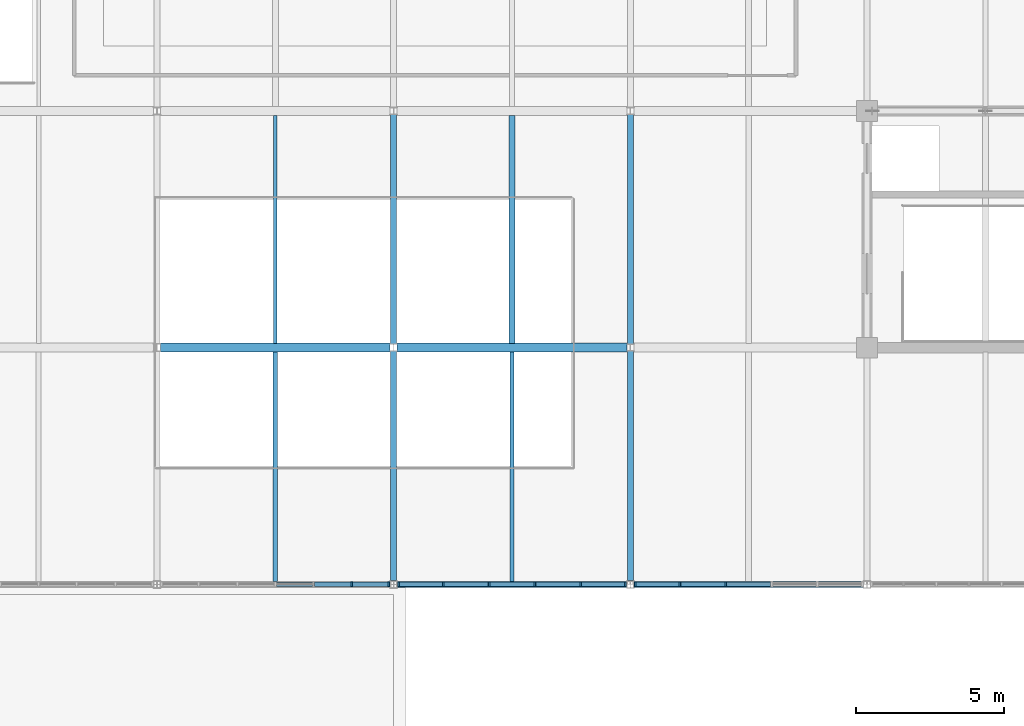
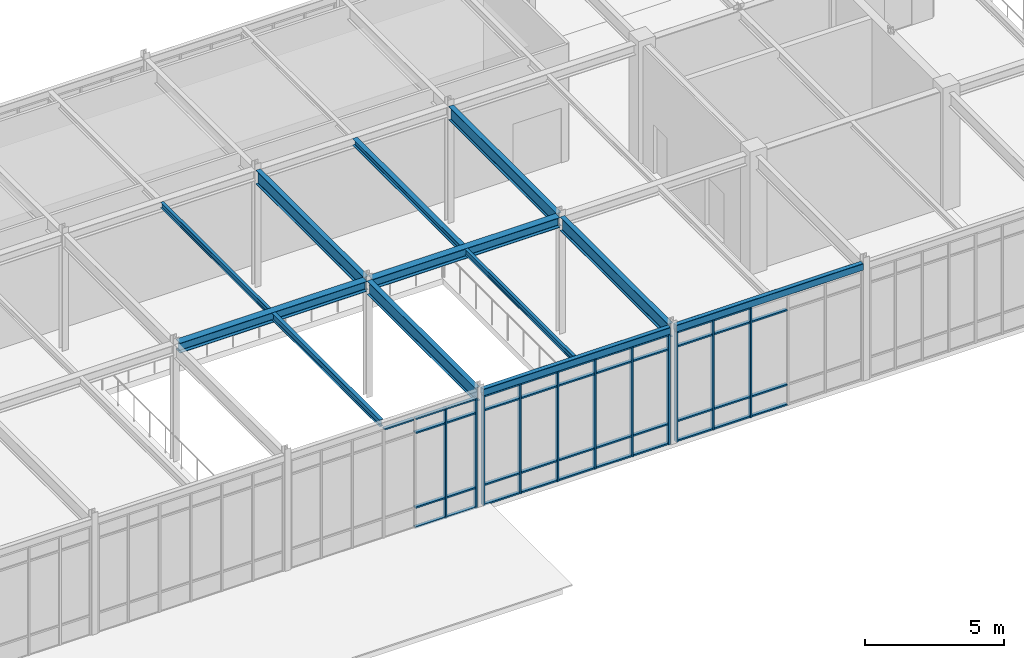
# One storey, part 51 of 184: 51 members, 12 beams, 3 elements without a shape of their own.
"""IFC4 building model written with IfcOpenShell, lengths in metres."""

from ifc_helpers import new_model, si_unit, direction, frame, origin, origin_2d, place, context, subcontext, project, spatial, rectangle, hollow_rectangle, i_section, extrude, material, material_profile, profile_set, type_object, element, aggregate, save


model = new_model("IFC4")

# Units and contexts
model_context = context("Model", 3, precision=1e-05, world=origin(), true_north=direction((0.0, 1.0)))
body_context = subcontext(model_context, "Body", "Model", "MODEL_VIEW")
ifc_project = project(units=[si_unit("LENGTHUNIT", "METRE"), si_unit("AREAUNIT", "SQUARE_METRE"), si_unit("VOLUMEUNIT", "CUBIC_METRE"), si_unit("PLANEANGLEUNIT", "RADIAN"), si_unit("MASSUNIT", "GRAM", prefix="KILO")], contexts=[model_context])

# Site, building, storey
site_placement = place(None, origin())
site = spatial("IfcSite", under=ifc_project, at=site_placement, CompositionType="ELEMENT")
building_placement = place(site_placement, origin())
building = spatial("IfcBuilding", under=site, at=building_placement, Name="Zhaolan Boulevard Law Courts", CompositionType="ELEMENT")
storey_placement = place(building_placement, frame((0.0, 0.0, 5.39990234375)))
storey = spatial("IfcBuildingStorey", under=building, at=storey_placement, Name="L01", CompositionType="ELEMENT", Elevation=5.39990234375)

# Curtain wall, members
ifc_material_1 = material(Name="Thermally broken aluminium and low-E glazing", Category="aluminium")
curtain_wall_type_1 = type_object("IfcCurtainWallType", Name="CURTAIN WALL M15", PredefinedType="USERDEFINED", material=ifc_material_1)
curtain_wall_1_placement = place(storey_placement, origin())
curtain_wall_1 = element("IfcCurtainWall", 1, at=curtain_wall_1_placement, inside=storey, type_object=curtain_wall_type_1, Name="Curtain Wall CW-L01-039", ObjectType="CURTAIN WALL", PredefinedType="USERDEFINED")
ifc_material_2 = material(Name="Fluorocarbon-coated aluminium 6063-T6", Category="aluminium")
ifc_material_profile_1 = material_profile(ifc_material_2, rectangle(XDim=0.179931640625, YDim=0.06494140625, at=origin_2d()), Name="AL65x180")
ifc_profile_set_1 = profile_set([ifc_material_profile_1], Name="Fluorocarbon-coated aluminium 6063-T6")
member_type_1 = type_object("IfcMemberType", Name="CWMULLION 65X180", PredefinedType="MULLION", material=ifc_profile_set_1)
member_1_placement = place(storey_placement, frame((98.58203125, 6.0, 0.0), z_axis=(0.0, 0.0, 1.0), x_axis=(0.0, 1.0, 0.0)))
member_1 = element("IfcMember", 2, at=member_1_placement, type_object=member_type_1, Name="CW-L01-039 mullion 6", PredefinedType="MULLION", context=body_context, shape_type="SweptSolid", body=[
    extrude(rectangle(XDim=0.179931640625, YDim=0.06494140625, at=origin_2d()), origin(), (0.0, 0.0, 1.0), 4.822998046875),
])
member_2_placement = place(storey_placement, frame((99.840576171875, 6.0, 0.0), z_axis=(0.0, 0.0, 1.0), x_axis=(0.0, 1.0, 0.0)))
member_2 = element("IfcMember", 3, at=member_2_placement, type_object=member_type_1, Name="CW-L01-039 mullion 7", PredefinedType="MULLION", context=body_context, shape_type="SweptSolid", body=[
    extrude(rectangle(XDim=0.179931640625, YDim=0.06494140625, at=origin_2d()), origin(), (0.0, 0.0, 1.0), 4.822998046875),
])

ifc_material_3 = material(Name="Thermally broken aluminium and low-E glazing", Category="aluminium")
curtain_wall_type_2 = type_object("IfcCurtainWallType", Name="CURTAIN WALL M16", PredefinedType="USERDEFINED", material=ifc_material_3)
curtain_wall_2_placement = place(storey_placement, origin())
curtain_wall_2 = element("IfcCurtainWall", 4, at=curtain_wall_2_placement, inside=storey, type_object=curtain_wall_type_2, Name="Curtain Wall CW-L01-040", ObjectType="CURTAIN WALL", PredefinedType="USERDEFINED")
member_3_placement = place(storey_placement, frame((100.159423828125, 6.0, 0.0), z_axis=(0.0, 0.0, 1.0), x_axis=(0.0, 1.0, 0.0)))
member_3 = element("IfcMember", 5, at=member_3_placement, type_object=member_type_1, Name="CW-L01-040 mullion 1", PredefinedType="MULLION", context=body_context, shape_type="SweptSolid", body=[
    extrude(rectangle(XDim=0.179931640625, YDim=0.06494140625, at=origin_2d()), origin(), (0.0, 0.0, 1.0), 4.822998046875),
])
member_4_placement = place(storey_placement, frame((101.67626953125, 6.0, 0.0), z_axis=(0.0, 0.0, 1.0), x_axis=(0.0, 1.0, 0.0)))
member_4 = element("IfcMember", 6, at=member_4_placement, type_object=member_type_1, Name="CW-L01-040 mullion 2", PredefinedType="MULLION", context=body_context, shape_type="SweptSolid", body=[
    extrude(rectangle(XDim=0.179931640625, YDim=0.06494140625, at=origin_2d()), origin(), (0.0, 0.0, 1.0), 4.822998046875),
])
member_5_placement = place(storey_placement, frame((103.225341796875, 6.0, 0.0), z_axis=(0.0, 0.0, 1.0), x_axis=(0.0, 1.0, 0.0)))
member_5 = element("IfcMember", 7, at=member_5_placement, type_object=member_type_1, Name="CW-L01-040 mullion 3", PredefinedType="MULLION", context=body_context, shape_type="SweptSolid", body=[
    extrude(rectangle(XDim=0.179931640625, YDim=0.06494140625, at=origin_2d()), origin(), (0.0, 0.0, 1.0), 4.822998046875),
])
member_6_placement = place(storey_placement, frame((104.774658203125, 6.0, 0.0), z_axis=(0.0, 0.0, 1.0), x_axis=(0.0, 1.0, 0.0)))
member_6 = element("IfcMember", 8, at=member_6_placement, type_object=member_type_1, Name="CW-L01-040 mullion 4", PredefinedType="MULLION", context=body_context, shape_type="SweptSolid", body=[
    extrude(rectangle(XDim=0.179931640625, YDim=0.06494140625, at=origin_2d()), origin(), (0.0, 0.0, 1.0), 4.822998046875),
])
member_7_placement = place(storey_placement, frame((106.32373046875, 6.0, 0.0), z_axis=(0.0, 0.0, 1.0), x_axis=(0.0, 1.0, 0.0)))
member_7 = element("IfcMember", 9, at=member_7_placement, type_object=member_type_1, Name="CW-L01-040 mullion 5", PredefinedType="MULLION", context=body_context, shape_type="SweptSolid", body=[
    extrude(rectangle(XDim=0.179931640625, YDim=0.06494140625, at=origin_2d()), origin(), (0.0, 0.0, 1.0), 4.822998046875),
])
member_8_placement = place(storey_placement, frame((107.840576171875, 6.0, 0.0), z_axis=(0.0, 0.0, 1.0), x_axis=(0.0, 1.0, 0.0)))
member_8 = element("IfcMember", 10, at=member_8_placement, type_object=member_type_1, Name="CW-L01-040 mullion 6", PredefinedType="MULLION", context=body_context, shape_type="SweptSolid", body=[
    extrude(rectangle(XDim=0.179931640625, YDim=0.06494140625, at=origin_2d()), origin(), (0.0, 0.0, 1.0), 4.822998046875),
])

ifc_material_4 = material(Name="Thermally broken aluminium and low-E glazing", Category="aluminium")
curtain_wall_type_3 = type_object("IfcCurtainWallType", Name="CURTAIN WALL M17", PredefinedType="USERDEFINED", material=ifc_material_4)
curtain_wall_3_placement = place(storey_placement, origin())
curtain_wall_3 = element("IfcCurtainWall", 11, at=curtain_wall_3_placement, inside=storey, type_object=curtain_wall_type_3, Name="Curtain Wall CW-L01-041", ObjectType="CURTAIN WALL", PredefinedType="USERDEFINED")
member_9_placement = place(storey_placement, frame((108.159423828125, 6.0, 0.0), z_axis=(0.0, 0.0, 1.0), x_axis=(0.0, 1.0, 0.0)))
member_9 = element("IfcMember", 12, at=member_9_placement, type_object=member_type_1, Name="CW-L01-041 mullion 1", PredefinedType="MULLION", context=body_context, shape_type="SweptSolid", body=[
    extrude(rectangle(XDim=0.179931640625, YDim=0.06494140625, at=origin_2d()), origin(), (0.0, 0.0, 1.0), 4.822998046875),
])
member_10_placement = place(storey_placement, frame((109.67626953125, 6.0, 0.0), z_axis=(0.0, 0.0, 1.0), x_axis=(0.0, 1.0, 0.0)))
member_10 = element("IfcMember", 13, at=member_10_placement, type_object=member_type_1, Name="CW-L01-041 mullion 2", PredefinedType="MULLION", context=body_context, shape_type="SweptSolid", body=[
    extrude(rectangle(XDim=0.179931640625, YDim=0.06494140625, at=origin_2d()), origin(), (0.0, 0.0, 1.0), 4.822998046875),
])
member_11_placement = place(storey_placement, frame((111.225341796875, 6.0, 0.0), z_axis=(0.0, 0.0, 1.0), x_axis=(0.0, 1.0, 0.0)))
member_11 = element("IfcMember", 14, at=member_11_placement, type_object=member_type_1, Name="CW-L01-041 mullion 3", PredefinedType="MULLION", context=body_context, shape_type="SweptSolid", body=[
    extrude(rectangle(XDim=0.179931640625, YDim=0.06494140625, at=origin_2d()), origin(), (0.0, 0.0, 1.0), 4.822998046875),
])

# Member
ifc_material_5 = material(Name="Fluorocarbon-coated aluminium 6063-T6", Category="aluminium")
ifc_material_profile_2 = material_profile(ifc_material_5, rectangle(XDim=0.139892578125, YDim=0.06494140625, at=origin_2d()), Name="AL65x140")
ifc_profile_set_2 = profile_set([ifc_material_profile_2], Name="Fluorocarbon-coated aluminium 6063-T6")
member_type_2 = type_object("IfcMemberType", Name="CWTRANSOM 65X140", PredefinedType="USERDEFINED", material=ifc_profile_set_2)
member_12_placement = place(storey_placement, frame((96.032470703125, 6.0, 4.79052734375), z_axis=(1.0, 0.0, 0.0), x_axis=(0.0, 1.0, 0.0)))
member_12 = element("IfcMember", 15, at=member_12_placement, type_object=member_type_2, Name="CW-L01-039 transom 4.4", ObjectType="TRANSOM", PredefinedType="USERDEFINED", context=body_context, shape_type="SweptSolid", body=[
    extrude(rectangle(XDim=0.139892578125, YDim=0.06494140625, at=origin_2d()), origin(), (0.0, 0.0, 1.0), 1.22607421875),
])

member_13_placement = place(storey_placement, frame((97.323486328125, 6.0, 0.03271484375), z_axis=(1.0, 0.0, 0.0), x_axis=(0.0, 1.0, 0.0)))
member_13 = element("IfcMember", 16, at=member_13_placement, type_object=member_type_2, Name="CW-L01-039 transom 5.1", ObjectType="TRANSOM", PredefinedType="USERDEFINED", context=body_context, shape_type="SweptSolid", body=[
    extrude(rectangle(XDim=0.139892578125, YDim=0.06494140625, at=origin_2d()), origin(), (0.0, 0.0, 1.0), 1.22607421875),
])

member_14_placement = place(storey_placement, frame((97.323486328125, 6.0, 0.900146484375), z_axis=(1.0, 0.0, 0.0), x_axis=(0.0, 1.0, 0.0)))
member_14 = element("IfcMember", 17, at=member_14_placement, type_object=member_type_2, Name="CW-L01-039 transom 5.2", ObjectType="TRANSOM", PredefinedType="USERDEFINED", context=body_context, shape_type="SweptSolid", body=[
    extrude(rectangle(XDim=0.139892578125, YDim=0.06494140625, at=origin_2d()), origin(), (0.0, 0.0, 1.0), 1.22607421875),
])

member_15_placement = place(storey_placement, frame((97.323486328125, 6.0, 4.173095703125), z_axis=(1.0, 0.0, 0.0), x_axis=(0.0, 1.0, 0.0)))
member_15 = element("IfcMember", 18, at=member_15_placement, type_object=member_type_2, Name="CW-L01-039 transom 5.3", ObjectType="TRANSOM", PredefinedType="USERDEFINED", context=body_context, shape_type="SweptSolid", body=[
    extrude(rectangle(XDim=0.139892578125, YDim=0.06494140625, at=origin_2d()), origin(), (0.0, 0.0, 1.0), 1.22607421875),
])

member_16_placement = place(storey_placement, frame((97.323486328125, 6.0, 4.79052734375), z_axis=(1.0, 0.0, 0.0), x_axis=(0.0, 1.0, 0.0)))
member_16 = element("IfcMember", 19, at=member_16_placement, type_object=member_type_2, Name="CW-L01-039 transom 5.4", ObjectType="TRANSOM", PredefinedType="USERDEFINED", context=body_context, shape_type="SweptSolid", body=[
    extrude(rectangle(XDim=0.139892578125, YDim=0.06494140625, at=origin_2d()), origin(), (0.0, 0.0, 1.0), 1.22607421875),
])

member_17_placement = place(storey_placement, frame((98.614501953125, 6.0, 0.03271484375), z_axis=(1.0, 0.0, 0.0), x_axis=(0.0, 1.0, 0.0)))
member_17 = element("IfcMember", 20, at=member_17_placement, type_object=member_type_2, Name="CW-L01-039 transom 6.1", ObjectType="TRANSOM", PredefinedType="USERDEFINED", context=body_context, shape_type="SweptSolid", body=[
    extrude(rectangle(XDim=0.139892578125, YDim=0.06494140625, at=origin_2d()), origin(), (0.0, 0.0, 1.0), 1.193603515625),
])

member_18_placement = place(storey_placement, frame((98.614501953125, 6.0, 0.900146484375), z_axis=(1.0, 0.0, 0.0), x_axis=(0.0, 1.0, 0.0)))
member_18 = element("IfcMember", 21, at=member_18_placement, type_object=member_type_2, Name="CW-L01-039 transom 6.2", ObjectType="TRANSOM", PredefinedType="USERDEFINED", context=body_context, shape_type="SweptSolid", body=[
    extrude(rectangle(XDim=0.139892578125, YDim=0.06494140625, at=origin_2d()), origin(), (0.0, 0.0, 1.0), 1.193603515625),
])

member_19_placement = place(storey_placement, frame((98.614501953125, 6.0, 4.173095703125), z_axis=(1.0, 0.0, 0.0), x_axis=(0.0, 1.0, 0.0)))
member_19 = element("IfcMember", 22, at=member_19_placement, type_object=member_type_2, Name="CW-L01-039 transom 6.3", ObjectType="TRANSOM", PredefinedType="USERDEFINED", context=body_context, shape_type="SweptSolid", body=[
    extrude(rectangle(XDim=0.139892578125, YDim=0.06494140625, at=origin_2d()), origin(), (0.0, 0.0, 1.0), 1.193603515625),
])

member_20_placement = place(storey_placement, frame((98.614501953125, 6.0, 4.79052734375), z_axis=(1.0, 0.0, 0.0), x_axis=(0.0, 1.0, 0.0)))
member_20 = element("IfcMember", 23, at=member_20_placement, type_object=member_type_2, Name="CW-L01-039 transom 6.4", ObjectType="TRANSOM", PredefinedType="USERDEFINED", context=body_context, shape_type="SweptSolid", body=[
    extrude(rectangle(XDim=0.139892578125, YDim=0.06494140625, at=origin_2d()), origin(), (0.0, 0.0, 1.0), 1.193603515625),
])

aggregate(curtain_wall_1, [member_1, member_2, member_12, member_13, member_14, member_15, member_16, member_17, member_18, member_19, member_20])

member_21_placement = place(storey_placement, frame((100.19189453125, 6.0, 0.03271484375), z_axis=(1.0, 0.0, 0.0), x_axis=(0.0, 1.0, 0.0)))
member_21 = element("IfcMember", 24, at=member_21_placement, type_object=member_type_2, Name="CW-L01-040 transom 1.1", ObjectType="TRANSOM", PredefinedType="USERDEFINED", context=body_context, shape_type="SweptSolid", body=[
    extrude(rectangle(XDim=0.139892578125, YDim=0.06494140625, at=origin_2d()), origin(), (0.0, 0.0, 1.0), 1.451904296875),
])

member_22_placement = place(storey_placement, frame((100.19189453125, 6.0, 0.900146484375), z_axis=(1.0, 0.0, 0.0), x_axis=(0.0, 1.0, 0.0)))
member_22 = element("IfcMember", 25, at=member_22_placement, type_object=member_type_2, Name="CW-L01-040 transom 1.2", ObjectType="TRANSOM", PredefinedType="USERDEFINED", context=body_context, shape_type="SweptSolid", body=[
    extrude(rectangle(XDim=0.139892578125, YDim=0.06494140625, at=origin_2d()), origin(), (0.0, 0.0, 1.0), 1.451904296875),
])

member_23_placement = place(storey_placement, frame((100.19189453125, 6.0, 4.173095703125), z_axis=(1.0, 0.0, 0.0), x_axis=(0.0, 1.0, 0.0)))
member_23 = element("IfcMember", 26, at=member_23_placement, type_object=member_type_2, Name="CW-L01-040 transom 1.3", ObjectType="TRANSOM", PredefinedType="USERDEFINED", context=body_context, shape_type="SweptSolid", body=[
    extrude(rectangle(XDim=0.139892578125, YDim=0.06494140625, at=origin_2d()), origin(), (0.0, 0.0, 1.0), 1.451904296875),
])

member_24_placement = place(storey_placement, frame((100.19189453125, 6.0, 4.79052734375), z_axis=(1.0, 0.0, 0.0), x_axis=(0.0, 1.0, 0.0)))
member_24 = element("IfcMember", 27, at=member_24_placement, type_object=member_type_2, Name="CW-L01-040 transom 1.4", ObjectType="TRANSOM", PredefinedType="USERDEFINED", context=body_context, shape_type="SweptSolid", body=[
    extrude(rectangle(XDim=0.139892578125, YDim=0.06494140625, at=origin_2d()), origin(), (0.0, 0.0, 1.0), 1.451904296875),
])

member_25_placement = place(storey_placement, frame((101.708740234375, 6.0, 0.03271484375), z_axis=(1.0, 0.0, 0.0), x_axis=(0.0, 1.0, 0.0)))
member_25 = element("IfcMember", 28, at=member_25_placement, type_object=member_type_2, Name="CW-L01-040 transom 2.1", ObjectType="TRANSOM", PredefinedType="USERDEFINED", context=body_context, shape_type="SweptSolid", body=[
    extrude(rectangle(XDim=0.139892578125, YDim=0.06494140625, at=origin_2d()), origin(), (0.0, 0.0, 1.0), 1.484130859375),
])

member_26_placement = place(storey_placement, frame((101.708740234375, 6.0, 0.900146484375), z_axis=(1.0, 0.0, 0.0), x_axis=(0.0, 1.0, 0.0)))
member_26 = element("IfcMember", 29, at=member_26_placement, type_object=member_type_2, Name="CW-L01-040 transom 2.2", ObjectType="TRANSOM", PredefinedType="USERDEFINED", context=body_context, shape_type="SweptSolid", body=[
    extrude(rectangle(XDim=0.139892578125, YDim=0.06494140625, at=origin_2d()), origin(), (0.0, 0.0, 1.0), 1.484130859375),
])

member_27_placement = place(storey_placement, frame((101.708740234375, 6.0, 4.173095703125), z_axis=(1.0, 0.0, 0.0), x_axis=(0.0, 1.0, 0.0)))
member_27 = element("IfcMember", 30, at=member_27_placement, type_object=member_type_2, Name="CW-L01-040 transom 2.3", ObjectType="TRANSOM", PredefinedType="USERDEFINED", context=body_context, shape_type="SweptSolid", body=[
    extrude(rectangle(XDim=0.139892578125, YDim=0.06494140625, at=origin_2d()), origin(), (0.0, 0.0, 1.0), 1.484130859375),
])

member_28_placement = place(storey_placement, frame((101.708740234375, 6.0, 4.79052734375), z_axis=(1.0, 0.0, 0.0), x_axis=(0.0, 1.0, 0.0)))
member_28 = element("IfcMember", 31, at=member_28_placement, type_object=member_type_2, Name="CW-L01-040 transom 2.4", ObjectType="TRANSOM", PredefinedType="USERDEFINED", context=body_context, shape_type="SweptSolid", body=[
    extrude(rectangle(XDim=0.139892578125, YDim=0.06494140625, at=origin_2d()), origin(), (0.0, 0.0, 1.0), 1.484130859375),
])

member_29_placement = place(storey_placement, frame((103.2578125, 6.0, 0.03271484375), z_axis=(1.0, 0.0, 0.0), x_axis=(0.0, 1.0, 0.0)))
member_29 = element("IfcMember", 32, at=member_29_placement, type_object=member_type_2, Name="CW-L01-040 transom 3.1", ObjectType="TRANSOM", PredefinedType="USERDEFINED", context=body_context, shape_type="SweptSolid", body=[
    extrude(rectangle(XDim=0.139892578125, YDim=0.06494140625, at=origin_2d()), origin(), (0.0, 0.0, 1.0), 1.484375),
])

member_30_placement = place(storey_placement, frame((103.2578125, 6.0, 0.900146484375), z_axis=(1.0, 0.0, 0.0), x_axis=(0.0, 1.0, 0.0)))
member_30 = element("IfcMember", 33, at=member_30_placement, type_object=member_type_2, Name="CW-L01-040 transom 3.2", ObjectType="TRANSOM", PredefinedType="USERDEFINED", context=body_context, shape_type="SweptSolid", body=[
    extrude(rectangle(XDim=0.139892578125, YDim=0.06494140625, at=origin_2d()), origin(), (0.0, 0.0, 1.0), 1.484375),
])

member_31_placement = place(storey_placement, frame((103.2578125, 6.0, 4.173095703125), z_axis=(1.0, 0.0, 0.0), x_axis=(0.0, 1.0, 0.0)))
member_31 = element("IfcMember", 34, at=member_31_placement, type_object=member_type_2, Name="CW-L01-040 transom 3.3", ObjectType="TRANSOM", PredefinedType="USERDEFINED", context=body_context, shape_type="SweptSolid", body=[
    extrude(rectangle(XDim=0.139892578125, YDim=0.06494140625, at=origin_2d()), origin(), (0.0, 0.0, 1.0), 1.484375),
])

member_32_placement = place(storey_placement, frame((103.2578125, 6.0, 4.79052734375), z_axis=(1.0, 0.0, 0.0), x_axis=(0.0, 1.0, 0.0)))
member_32 = element("IfcMember", 35, at=member_32_placement, type_object=member_type_2, Name="CW-L01-040 transom 3.4", ObjectType="TRANSOM", PredefinedType="USERDEFINED", context=body_context, shape_type="SweptSolid", body=[
    extrude(rectangle(XDim=0.139892578125, YDim=0.06494140625, at=origin_2d()), origin(), (0.0, 0.0, 1.0), 1.484375),
])

member_33_placement = place(storey_placement, frame((104.80712890625, 6.0, 0.03271484375), z_axis=(1.0, 0.0, 0.0), x_axis=(0.0, 1.0, 0.0)))
member_33 = element("IfcMember", 36, at=member_33_placement, type_object=member_type_2, Name="CW-L01-040 transom 4.1", ObjectType="TRANSOM", PredefinedType="USERDEFINED", context=body_context, shape_type="SweptSolid", body=[
    extrude(rectangle(XDim=0.139892578125, YDim=0.06494140625, at=origin_2d()), origin(), (0.0, 0.0, 1.0), 1.484130859375),
])

member_34_placement = place(storey_placement, frame((104.80712890625, 6.0, 0.900146484375), z_axis=(1.0, 0.0, 0.0), x_axis=(0.0, 1.0, 0.0)))
member_34 = element("IfcMember", 37, at=member_34_placement, type_object=member_type_2, Name="CW-L01-040 transom 4.2", ObjectType="TRANSOM", PredefinedType="USERDEFINED", context=body_context, shape_type="SweptSolid", body=[
    extrude(rectangle(XDim=0.139892578125, YDim=0.06494140625, at=origin_2d()), origin(), (0.0, 0.0, 1.0), 1.484130859375),
])

member_35_placement = place(storey_placement, frame((104.80712890625, 6.0, 4.173095703125), z_axis=(1.0, 0.0, 0.0), x_axis=(0.0, 1.0, 0.0)))
member_35 = element("IfcMember", 38, at=member_35_placement, type_object=member_type_2, Name="CW-L01-040 transom 4.3", ObjectType="TRANSOM", PredefinedType="USERDEFINED", context=body_context, shape_type="SweptSolid", body=[
    extrude(rectangle(XDim=0.139892578125, YDim=0.06494140625, at=origin_2d()), origin(), (0.0, 0.0, 1.0), 1.484130859375),
])

member_36_placement = place(storey_placement, frame((104.80712890625, 6.0, 4.79052734375), z_axis=(1.0, 0.0, 0.0), x_axis=(0.0, 1.0, 0.0)))
member_36 = element("IfcMember", 39, at=member_36_placement, type_object=member_type_2, Name="CW-L01-040 transom 4.4", ObjectType="TRANSOM", PredefinedType="USERDEFINED", context=body_context, shape_type="SweptSolid", body=[
    extrude(rectangle(XDim=0.139892578125, YDim=0.06494140625, at=origin_2d()), origin(), (0.0, 0.0, 1.0), 1.484130859375),
])

member_37_placement = place(storey_placement, frame((106.356201171875, 6.0, 0.03271484375), z_axis=(1.0, 0.0, 0.0), x_axis=(0.0, 1.0, 0.0)))
member_37 = element("IfcMember", 40, at=member_37_placement, type_object=member_type_2, Name="CW-L01-040 transom 5.1", ObjectType="TRANSOM", PredefinedType="USERDEFINED", context=body_context, shape_type="SweptSolid", body=[
    extrude(rectangle(XDim=0.139892578125, YDim=0.06494140625, at=origin_2d()), origin(), (0.0, 0.0, 1.0), 1.451904296875),
])

member_38_placement = place(storey_placement, frame((106.356201171875, 6.0, 0.900146484375), z_axis=(1.0, 0.0, 0.0), x_axis=(0.0, 1.0, 0.0)))
member_38 = element("IfcMember", 41, at=member_38_placement, type_object=member_type_2, Name="CW-L01-040 transom 5.2", ObjectType="TRANSOM", PredefinedType="USERDEFINED", context=body_context, shape_type="SweptSolid", body=[
    extrude(rectangle(XDim=0.139892578125, YDim=0.06494140625, at=origin_2d()), origin(), (0.0, 0.0, 1.0), 1.451904296875),
])

member_39_placement = place(storey_placement, frame((106.356201171875, 6.0, 4.173095703125), z_axis=(1.0, 0.0, 0.0), x_axis=(0.0, 1.0, 0.0)))
member_39 = element("IfcMember", 42, at=member_39_placement, type_object=member_type_2, Name="CW-L01-040 transom 5.3", ObjectType="TRANSOM", PredefinedType="USERDEFINED", context=body_context, shape_type="SweptSolid", body=[
    extrude(rectangle(XDim=0.139892578125, YDim=0.06494140625, at=origin_2d()), origin(), (0.0, 0.0, 1.0), 1.451904296875),
])

member_40_placement = place(storey_placement, frame((106.356201171875, 6.0, 4.79052734375), z_axis=(1.0, 0.0, 0.0), x_axis=(0.0, 1.0, 0.0)))
member_40 = element("IfcMember", 43, at=member_40_placement, type_object=member_type_2, Name="CW-L01-040 transom 5.4", ObjectType="TRANSOM", PredefinedType="USERDEFINED", context=body_context, shape_type="SweptSolid", body=[
    extrude(rectangle(XDim=0.139892578125, YDim=0.06494140625, at=origin_2d()), origin(), (0.0, 0.0, 1.0), 1.451904296875),
])

aggregate(curtain_wall_2, [member_3, member_4, member_5, member_6, member_7, member_8, member_21, member_22, member_23, member_24, member_25, member_26, member_27, member_28, member_29, member_30, member_31, member_32, member_33, member_34, member_35, member_36, member_37, member_38, member_39, member_40])

member_41_placement = place(storey_placement, frame((108.19189453125, 6.0, 0.03271484375), z_axis=(1.0, 0.0, 0.0), x_axis=(0.0, 1.0, 0.0)))
member_41 = element("IfcMember", 44, at=member_41_placement, type_object=member_type_2, Name="CW-L01-041 transom 1.1", ObjectType="TRANSOM", PredefinedType="USERDEFINED", context=body_context, shape_type="SweptSolid", body=[
    extrude(rectangle(XDim=0.139892578125, YDim=0.06494140625, at=origin_2d()), origin(), (0.0, 0.0, 1.0), 1.451904296875),
])

member_42_placement = place(storey_placement, frame((108.19189453125, 6.0, 0.900146484375), z_axis=(1.0, 0.0, 0.0), x_axis=(0.0, 1.0, 0.0)))
member_42 = element("IfcMember", 45, at=member_42_placement, type_object=member_type_2, Name="CW-L01-041 transom 1.2", ObjectType="TRANSOM", PredefinedType="USERDEFINED", context=body_context, shape_type="SweptSolid", body=[
    extrude(rectangle(XDim=0.139892578125, YDim=0.06494140625, at=origin_2d()), origin(), (0.0, 0.0, 1.0), 1.451904296875),
])

member_43_placement = place(storey_placement, frame((108.19189453125, 6.0, 4.173095703125), z_axis=(1.0, 0.0, 0.0), x_axis=(0.0, 1.0, 0.0)))
member_43 = element("IfcMember", 46, at=member_43_placement, type_object=member_type_2, Name="CW-L01-041 transom 1.3", ObjectType="TRANSOM", PredefinedType="USERDEFINED", context=body_context, shape_type="SweptSolid", body=[
    extrude(rectangle(XDim=0.139892578125, YDim=0.06494140625, at=origin_2d()), origin(), (0.0, 0.0, 1.0), 1.451904296875),
])

member_44_placement = place(storey_placement, frame((108.19189453125, 6.0, 4.79052734375), z_axis=(1.0, 0.0, 0.0), x_axis=(0.0, 1.0, 0.0)))
member_44 = element("IfcMember", 47, at=member_44_placement, type_object=member_type_2, Name="CW-L01-041 transom 1.4", ObjectType="TRANSOM", PredefinedType="USERDEFINED", context=body_context, shape_type="SweptSolid", body=[
    extrude(rectangle(XDim=0.139892578125, YDim=0.06494140625, at=origin_2d()), origin(), (0.0, 0.0, 1.0), 1.451904296875),
])

member_45_placement = place(storey_placement, frame((109.708740234375, 6.0, 0.03271484375), z_axis=(1.0, 0.0, 0.0), x_axis=(0.0, 1.0, 0.0)))
member_45 = element("IfcMember", 48, at=member_45_placement, type_object=member_type_2, Name="CW-L01-041 transom 2.1", ObjectType="TRANSOM", PredefinedType="USERDEFINED", context=body_context, shape_type="SweptSolid", body=[
    extrude(rectangle(XDim=0.139892578125, YDim=0.06494140625, at=origin_2d()), origin(), (0.0, 0.0, 1.0), 1.484130859375),
])

member_46_placement = place(storey_placement, frame((109.708740234375, 6.0, 0.900146484375), z_axis=(1.0, 0.0, 0.0), x_axis=(0.0, 1.0, 0.0)))
member_46 = element("IfcMember", 49, at=member_46_placement, type_object=member_type_2, Name="CW-L01-041 transom 2.2", ObjectType="TRANSOM", PredefinedType="USERDEFINED", context=body_context, shape_type="SweptSolid", body=[
    extrude(rectangle(XDim=0.139892578125, YDim=0.06494140625, at=origin_2d()), origin(), (0.0, 0.0, 1.0), 1.484130859375),
])

member_47_placement = place(storey_placement, frame((109.708740234375, 6.0, 4.173095703125), z_axis=(1.0, 0.0, 0.0), x_axis=(0.0, 1.0, 0.0)))
member_47 = element("IfcMember", 50, at=member_47_placement, type_object=member_type_2, Name="CW-L01-041 transom 2.3", ObjectType="TRANSOM", PredefinedType="USERDEFINED", context=body_context, shape_type="SweptSolid", body=[
    extrude(rectangle(XDim=0.139892578125, YDim=0.06494140625, at=origin_2d()), origin(), (0.0, 0.0, 1.0), 1.484130859375),
])

member_48_placement = place(storey_placement, frame((109.708740234375, 6.0, 4.79052734375), z_axis=(1.0, 0.0, 0.0), x_axis=(0.0, 1.0, 0.0)))
member_48 = element("IfcMember", 51, at=member_48_placement, type_object=member_type_2, Name="CW-L01-041 transom 2.4", ObjectType="TRANSOM", PredefinedType="USERDEFINED", context=body_context, shape_type="SweptSolid", body=[
    extrude(rectangle(XDim=0.139892578125, YDim=0.06494140625, at=origin_2d()), origin(), (0.0, 0.0, 1.0), 1.484130859375),
])

member_49_placement = place(storey_placement, frame((111.2578125, 6.0, 0.03271484375), z_axis=(1.0, 0.0, 0.0), x_axis=(0.0, 1.0, 0.0)))
member_49 = element("IfcMember", 52, at=member_49_placement, type_object=member_type_2, Name="CW-L01-041 transom 3.1", ObjectType="TRANSOM", PredefinedType="USERDEFINED", context=body_context, shape_type="SweptSolid", body=[
    extrude(rectangle(XDim=0.139892578125, YDim=0.06494140625, at=origin_2d()), origin(), (0.0, 0.0, 1.0), 1.484375),
])

member_50_placement = place(storey_placement, frame((111.2578125, 6.0, 0.900146484375), z_axis=(1.0, 0.0, 0.0), x_axis=(0.0, 1.0, 0.0)))
member_50 = element("IfcMember", 53, at=member_50_placement, type_object=member_type_2, Name="CW-L01-041 transom 3.2", ObjectType="TRANSOM", PredefinedType="USERDEFINED", context=body_context, shape_type="SweptSolid", body=[
    extrude(rectangle(XDim=0.139892578125, YDim=0.06494140625, at=origin_2d()), origin(), (0.0, 0.0, 1.0), 1.484375),
])

member_51_placement = place(storey_placement, frame((111.2578125, 6.0, 4.173095703125), z_axis=(1.0, 0.0, 0.0), x_axis=(0.0, 1.0, 0.0)))
member_51 = element("IfcMember", 54, at=member_51_placement, type_object=member_type_2, Name="CW-L01-041 transom 3.3", ObjectType="TRANSOM", PredefinedType="USERDEFINED", context=body_context, shape_type="SweptSolid", body=[
    extrude(rectangle(XDim=0.139892578125, YDim=0.06494140625, at=origin_2d()), origin(), (0.0, 0.0, 1.0), 1.484375),
])

aggregate(curtain_wall_3, [member_9, member_10, member_11, member_41, member_42, member_43, member_44, member_45, member_46, member_47, member_48, member_49, member_50, member_51])

# Beams
ifc_material_6 = material(Name="Structural steel Q355B", Category="steel")
ifc_material_profile_3 = material_profile(ifc_material_6, i_section(OverallWidth=0.300048828125, OverallDepth=0.43994140625, WebThickness=0.010986328125, FlangeThickness=0.01806640625, FilletRadius=0.02001953125, at=origin_2d()), Name="HM440x300")
ifc_profile_set_3 = profile_set([ifc_material_profile_3], Name="Structural steel Q355B")
beam_type_1 = type_object("IfcBeamType", Name="GIRDER HM440", PredefinedType="BEAM", material=ifc_profile_set_3)
for number, where, z_axis, x_axis, name in (
    (55, (92.12109375, 14.0, 4.918212890625), (1.0, 0.0, 0.0), (0.0, 1.0, 0.0), "Beam BX-L02-12-13-C"),
    (56, (100.12109375, 14.0, 4.918212890625), (1.0, 0.0, 0.0), (0.0, 1.0, 0.0), "Beam BX-L02-13-14-C"),
):
    element("IfcBeam", number, at=place(storey_placement, frame(where, z_axis=z_axis, x_axis=x_axis)), inside=storey, type_object=beam_type_1, Name=name, PredefinedType="BEAM", context=body_context, shape_type="SweptSolid", body=[
        extrude(i_section(OverallWidth=0.300048828125, OverallDepth=0.43994140625, WebThickness=0.010986328125, FlangeThickness=0.01806640625, FilletRadius=0.02001953125, at=origin_2d()), origin(), (0.0, 0.0, 1.0), 7.7578125),
    ])
ifc_material_7 = material(Name="Structural steel Q355B", Category="steel")
ifc_material_profile_4 = material_profile(ifc_material_7, i_section(OverallWidth=0.199951171875, OverallDepth=0.60009765625, WebThickness=0.010986328125, FlangeThickness=0.01708984375, FilletRadius=0.02001953125, at=origin_2d()), Name="HN600x200")
ifc_profile_set_4 = profile_set([ifc_material_profile_4], Name="Structural steel Q355B")
beam_type_2 = type_object("IfcBeamType", Name="GIRDER HN600", PredefinedType="BEAM", material=ifc_profile_set_4)
for number, where, z_axis, x_axis, name in (
    (57, (100.0, 6.12109375, 4.838134765625), (0.0, 1.0, 0.0), (-1.0, 0.0, 0.0), "Beam BY-L02-13-B-C"),
    (58, (100.0, 14.12109375, 4.838134765625), (0.0, 1.0, 0.0), (-1.0, 0.0, 0.0), "Beam BY-L02-13-C-D"),
    (59, (108.0, 6.12109375, 4.838134765625), (0.0, 1.0, 0.0), (-1.0, 0.0, 0.0), "Beam BY-L02-14-B-C"),
    (60, (108.0, 14.12109375, 4.838134765625), (0.0, 1.0, 0.0), (-1.0, 0.0, 0.0), "Beam BY-L02-14-C-D"),
):
    element("IfcBeam", number, at=place(storey_placement, frame(where, z_axis=z_axis, x_axis=x_axis)), inside=storey, type_object=beam_type_2, Name=name, PredefinedType="BEAM", context=body_context, shape_type="SweptSolid", body=[
        extrude(i_section(OverallWidth=0.199951171875, OverallDepth=0.60009765625, WebThickness=0.010986328125, FlangeThickness=0.01708984375, FilletRadius=0.02001953125, at=origin_2d()), origin(), (0.0, 0.0, 1.0), 7.7578125),
    ])
ifc_material_8 = material(Name="Structural steel Q355B", Category="steel")
ifc_material_profile_5 = material_profile(ifc_material_8, i_section(OverallWidth=0.199951171875, OverallDepth=0.2939453125, WebThickness=0.008056640625, FlangeThickness=0.011962890625, FilletRadius=0.01611328125, at=origin_2d()), Name="HM294x200")
ifc_profile_set_5 = profile_set([ifc_material_profile_5], Name="Structural steel Q355B")
beam_type_3 = type_object("IfcBeamType", Name="JOIST HM294", PredefinedType="JOIST", material=ifc_profile_set_5)
beam_1_placement = place(storey_placement, frame((104.0, 14.14599609375, 4.9912109375), z_axis=(0.0, 1.0, 0.0), x_axis=(-1.0, 0.0, 0.0)))
element("IfcBeam", 61, at=beam_1_placement, inside=storey, type_object=beam_type_3, Name="Composite Joist J-L02-13C", PredefinedType="JOIST", context=body_context, shape_type="SweptSolid", body=[
    extrude(i_section(OverallWidth=0.199951171875, OverallDepth=0.2939453125, WebThickness=0.008056640625, FlangeThickness=0.011962890625, FilletRadius=0.01611328125, at=origin_2d()), origin(), (0.0, 0.0, 1.0), 7.7080078125),
])
ifc_material_9 = material(Name="Structural steel Q355B", Category="steel")
ifc_material_profile_6 = material_profile(ifc_material_9, i_section(OverallWidth=0.125, OverallDepth=0.25, WebThickness=0.006103515625, FlangeThickness=0.009033203125, FilletRadius=0.010009765625, at=origin_2d()), Name="HN250x125")
ifc_profile_set_6 = profile_set([ifc_material_profile_6], Name="Structural steel Q355B")
beam_type_4 = type_object("IfcBeamType", Name="JOIST HN250", PredefinedType="JOIST", material=ifc_profile_set_6)
beam_2_placement = place(storey_placement, frame((96.0, 14.14599609375, 5.01318359375), z_axis=(0.0, 1.0, 0.0), x_axis=(-1.0, 0.0, 0.0)))
element("IfcBeam", 62, at=beam_2_placement, inside=storey, type_object=beam_type_4, Name="Composite Joist J-L02-12C", PredefinedType="JOIST", context=body_context, shape_type="SweptSolid", body=[
    extrude(i_section(OverallWidth=0.125, OverallDepth=0.25, WebThickness=0.006103515625, FlangeThickness=0.009033203125, FilletRadius=0.010009765625, at=origin_2d()), origin(), (0.0, 0.0, 1.0), 7.7080078125),
])
beam_3_placement = place(storey_placement, frame((104.0, 6.095947265625, 5.01318359375), z_axis=(0.0, 1.0, 0.0), x_axis=(-1.0, 0.0, 0.0)))
element("IfcBeam", 63, at=beam_3_placement, inside=storey, type_object=beam_type_4, Name="Composite Joist J-L02-13B", PredefinedType="JOIST", context=body_context, shape_type="SweptSolid", body=[
    extrude(i_section(OverallWidth=0.125, OverallDepth=0.25, WebThickness=0.006103515625, FlangeThickness=0.009033203125, FilletRadius=0.010009765625, at=origin_2d()), origin(), (0.0, 0.0, 1.0), 7.758056640625),
])
ifc_material_10 = material(Name="Structural steel Q355B", Category="steel")
ifc_material_profile_7 = material_profile(ifc_material_10, i_section(OverallWidth=0.14990234375, OverallDepth=0.300048828125, WebThickness=0.006591796875, FlangeThickness=0.009033203125, FilletRadius=0.010986328125, at=origin_2d()), Name="HN300x150")
ifc_profile_set_7 = profile_set([ifc_material_profile_7], Name="Structural steel Q355B")
beam_type_5 = type_object("IfcBeamType", Name="JOIST HN300", PredefinedType="JOIST", material=ifc_profile_set_7)
beam_4_placement = place(storey_placement, frame((96.0, 6.095947265625, 4.988037109375), z_axis=(0.0, 1.0, 0.0), x_axis=(-1.0, 0.0, 0.0)))
element("IfcBeam", 64, at=beam_4_placement, inside=storey, type_object=beam_type_5, Name="Composite Joist J-L02-12B", PredefinedType="JOIST", context=body_context, shape_type="SweptSolid", body=[
    extrude(i_section(OverallWidth=0.14990234375, OverallDepth=0.300048828125, WebThickness=0.006591796875, FlangeThickness=0.009033203125, FilletRadius=0.010986328125, at=origin_2d()), origin(), (0.0, 0.0, 1.0), 7.758056640625),
])
ifc_material_11 = material(Name="Structural steel Q355B", Category="steel")
ifc_material_profile_8 = material_profile(ifc_material_11, hollow_rectangle(XDim=0.199951171875, YDim=0.300048828125, WallThickness=0.011962890625, InnerFilletRadius=0.011962890625, OuterFilletRadius=0.02392578125, at=origin_2d()), Name="HSS300x200x12")
ifc_profile_set_8 = profile_set([ifc_material_profile_8], Name="Structural steel Q355B")
beam_type_6 = type_object("IfcBeamType", Name="SPANDREL HSS300", PredefinedType="SPANDREL", material=ifc_profile_set_8)
for number, where, z_axis, x_axis, name in (
    (65, (100.12109375, 6.0, 4.988037109375), (1.0, 0.0, 0.0), (0.0, 1.0, 0.0), "Beam BX-L02-13-14-B"),
    (66, (108.12109375, 6.0, 4.988037109375), (1.0, 0.0, 0.0), (0.0, 1.0, 0.0), "Beam BX-L02-14-15-B"),
):
    element("IfcBeam", number, at=place(storey_placement, frame(where, z_axis=z_axis, x_axis=x_axis)), inside=storey, type_object=beam_type_6, Name=name, PredefinedType="SPANDREL", context=body_context, shape_type="SweptSolid", body=[
        extrude(hollow_rectangle(XDim=0.199951171875, YDim=0.300048828125, WallThickness=0.011962890625, InnerFilletRadius=0.011962890625, OuterFilletRadius=0.02392578125, at=origin_2d()), origin(), (0.0, 0.0, 1.0), 7.7578125),
    ])

save(model, "model.ifc")
